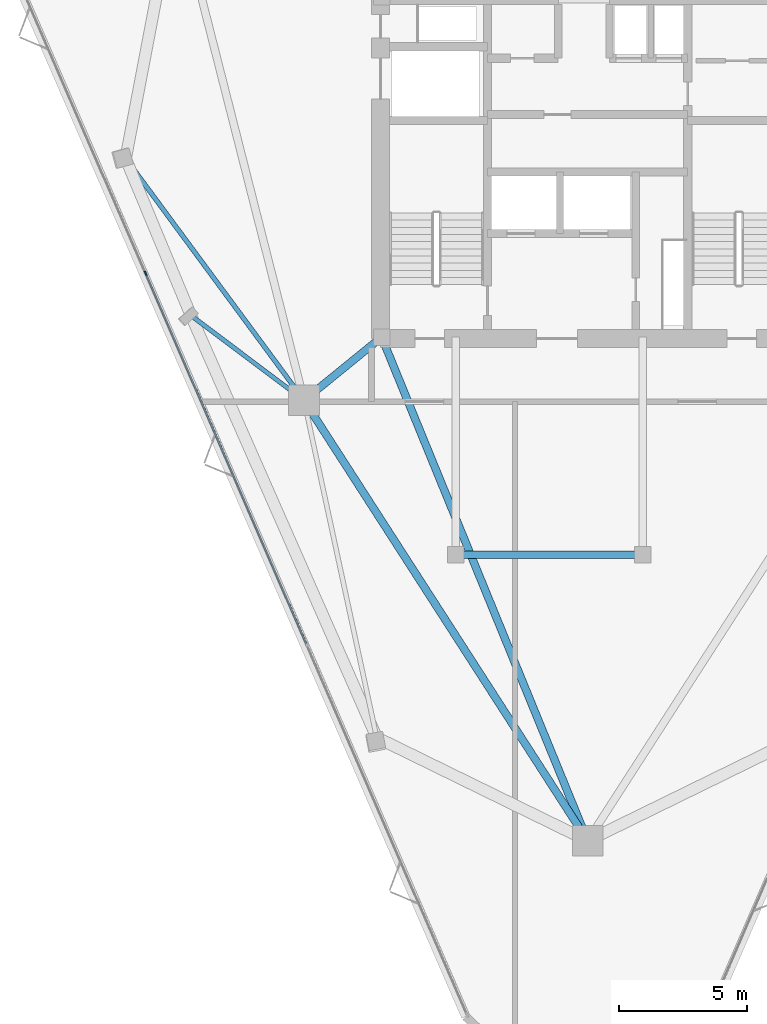
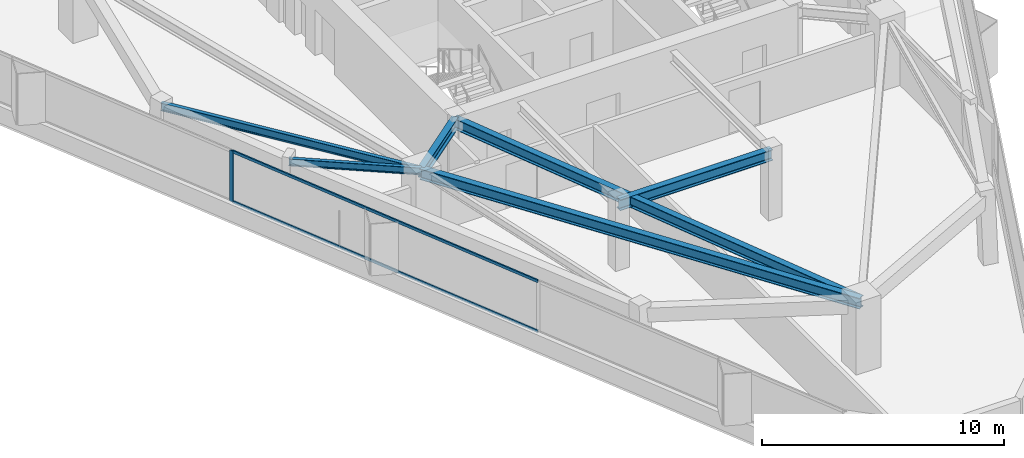
# One storey, part 3 of 11: 6 beams, 3 members, 1 element without a shape of its own.
"""IFC4 building model written with IfcOpenShell, lengths in metres."""

from ifc_helpers import new_model, si_unit, direction, frame, origin, origin_2d, place, context, subcontext, project, spatial, rectangle, i_section, extrude, material, layer, layer_set, material_profile, profile_set, type_object, element, aggregate, save


model = new_model("IFC4")

# Units and contexts
model_context = context("Model", 3, precision=1e-05, world=origin(), true_north=direction((0.0, 1.0)))
body_context = subcontext(model_context, "Body", "Model", "MODEL_VIEW")
ifc_project = project(units=[si_unit("LENGTHUNIT", "METRE"), si_unit("AREAUNIT", "SQUARE_METRE"), si_unit("VOLUMEUNIT", "CUBIC_METRE"), si_unit("PLANEANGLEUNIT", "RADIAN"), si_unit("MASSUNIT", "GRAM", prefix="KILO")], contexts=[model_context])

# Site, building, storey
site_placement = place(None, origin())
site = spatial("IfcSite", under=ifc_project, at=site_placement, CompositionType="ELEMENT")
building_placement = place(site_placement, origin())
building = spatial("IfcBuilding", under=site, at=building_placement, Name="Talyreon Biosciences Tower", CompositionType="ELEMENT")
storey_placement = place(building_placement, frame((0.0, 0.0, 235.25)))
storey = spatial("IfcBuildingStorey", under=building, at=storey_placement, Name="L62", CompositionType="ELEMENT", Elevation=235.25)

# Curtain wall, members
ifc_material_1 = material(Name="Thermally broken aluminium and low-E glazing", Category="aluminium")
ifc_layer = layer(ifc_material_1, 0.175048828125)
ifc_layer_set = layer_set([ifc_layer], Name="Thermally broken aluminium and low-E glazing")
curtain_wall_type = type_object("IfcCurtainWallType", Name="CurtainWall_Zone5CompLab", PredefinedType="NOTDEFINED", material=ifc_layer_set)
curtain_wall_placement = place(storey_placement, origin())
curtain_wall = element("IfcCurtainWall", 1, at=curtain_wall_placement, inside=storey, type_object=curtain_wall_type, Name="L62 Unitised Curtain Wall FCW-L62-00", PredefinedType="NOTDEFINED")
ifc_material_2 = material(Name="Anodised thermally broken aluminium", Category="aluminium")
ifc_material_profile_1 = material_profile(ifc_material_2, rectangle(XDim=0.06494140625, YDim=0.179931640625, at=origin_2d()), Name="ALUM MULLION 65x180")
ifc_profile_set_1 = profile_set([ifc_material_profile_1], Name="Anodised thermally broken aluminium")
member_type_1 = type_object("IfcMemberType", Name="CWMullion_65x180", PredefinedType="MULLION", material=ifc_profile_set_1)
member_1_placement = place(storey_placement, frame((48.72314453125, 63.8427734375, 0.81005859375), z_axis=(0.0, 0.0, 1.0), x_axis=(-0.917458244079, -0.397832088162, 0.0)))
member_1 = element("IfcMember", 2, at=member_1_placement, type_object=member_type_1, Name="CW6 mullion 3", PredefinedType="MULLION", context=body_context, shape_type="SweptSolid", body=[
    extrude(rectangle(XDim=0.06494140625, YDim=0.179931640625, at=origin_2d()), origin(), (0.0, 0.0, 1.0), 2.58984375),
])
ifc_material_profile_2 = material_profile(ifc_material_2, rectangle(XDim=0.06494140625, YDim=0.139892578125, at=origin_2d()), Name="ALUM TRANSOM 65x140")
ifc_profile_set_2 = profile_set([ifc_material_profile_2], Name="Anodised thermally broken aluminium")
member_type_2 = type_object("IfcMemberType", Name="CWTransom_65x140", PredefinedType="USERDEFINED", material=ifc_profile_set_2)
member_2_placement = place(storey_placement, frame((55.0, 49.367431640625, 0.842529296875), z_axis=(-0.397830656241, 0.917458864993, 0.0), x_axis=(-0.917458864993, -0.397830656241, 0.0)))
member_2 = element("IfcMember", 3, at=member_2_placement, type_object=member_type_2, Name="CW6 transom 2.1", ObjectType="TRANSOM", PredefinedType="USERDEFINED", context=body_context, shape_type="SweptSolid", body=[
    extrude(rectangle(XDim=0.06494140625, YDim=0.139892578125, at=origin_2d()), origin(), (0.0, 0.0, 1.0), 15.7451171875),
])
member_3_placement = place(storey_placement, frame((55.0, 49.367431640625, 3.367431640625), z_axis=(-0.397830656241, 0.917458864993, 0.0), x_axis=(-0.917458864993, -0.397830656241, 0.0)))
member_3 = element("IfcMember", 4, at=member_3_placement, type_object=member_type_2, Name="CW6 transom 2.2", ObjectType="TRANSOM", PredefinedType="USERDEFINED", context=body_context, shape_type="SweptSolid", body=[
    extrude(rectangle(XDim=0.06494140625, YDim=0.139892578125, at=origin_2d()), origin(), (0.0, 0.0, 1.0), 15.7451171875),
])
aggregate(curtain_wall, [member_1, member_2, member_3])

# Beams
ifc_material_3 = material(Name="Steel SM355", Category="steel")
ifc_material_profile_3 = material_profile(ifc_material_3, i_section(OverallWidth=0.300048828125, OverallDepth=0.550048828125, WebThickness=0.014892578125, FlangeThickness=0.029052734375, FilletRadius=0.027099609375, at=origin_2d()), Name="HE550B")
ifc_profile_set_3 = profile_set([ifc_material_profile_3], Name="Steel SM355")
beam_type_1 = type_object("IfcBeamType", Name="SteelBeam_HE550B", PredefinedType="BEAM", material=ifc_profile_set_3)
beam_1_placement = place(storey_placement, frame((54.913818359375, 58.88037109375, 3.125), z_axis=(0.541463723609, -0.840724114092, 0.0), x_axis=(0.840724114092, 0.541463723609, 0.0)))
element("IfcBeam", 5, at=beam_1_placement, inside=storey, type_object=beam_type_1, Name="L62 Mega-Ring Girder 6", PredefinedType="BEAM", context=body_context, shape_type="SweptSolid", body=[
    extrude(i_section(OverallWidth=0.300048828125, OverallDepth=0.550048828125, WebThickness=0.014892578125, FlangeThickness=0.029052734375, FilletRadius=0.027099609375, at=origin_2d()), origin(), (0.0, 0.0, 1.0), 20.474365234375),
])
beam_2_placement = place(storey_placement, frame((57.949951171875, 61.35009765625, 3.125), z_axis=(0.378547014545, -0.925582064314, 0.0), x_axis=(0.925582064314, 0.378547014545, 0.0)))
element("IfcBeam", 6, at=beam_2_placement, inside=storey, type_object=beam_type_1, Name="L62 Radial Primary Girder 1", PredefinedType="BEAM", context=body_context, shape_type="SweptSolid", body=[
    extrude(i_section(OverallWidth=0.300048828125, OverallDepth=0.550048828125, WebThickness=0.014892578125, FlangeThickness=0.029052734375, FilletRadius=0.027099609375, at=origin_2d()), origin(), (0.0, 0.0, 1.0), 21.265625),
])
beam_3_placement = place(storey_placement, frame((57.949951171875, 61.35009765625, 3.125), z_axis=(-0.775755154013, -0.631034025249, 0.0), x_axis=(0.631034025249, -0.775755154013, 0.0)))
element("IfcBeam", 7, at=beam_3_placement, inside=storey, type_object=beam_type_1, Name="L62 Radial Primary Girder 6", PredefinedType="BEAM", context=body_context, shape_type="SweptSolid", body=[
    extrude(i_section(OverallWidth=0.300048828125, OverallDepth=0.550048828125, WebThickness=0.014892578125, FlangeThickness=0.029052734375, FilletRadius=0.027099609375, at=origin_2d()), origin(), (0.0, 0.0, 1.0), 3.913818359375),
])
beam_4_placement = place(storey_placement, frame((60.85009765625, 52.840087890625, 3.125), z_axis=(1.0, 0.0, 0.0), x_axis=(0.0, 1.0, 0.0)))
element("IfcBeam", 8, at=beam_4_placement, inside=storey, type_object=beam_type_1, Name="L62 Crown Shaft Spine Girder S", PredefinedType="BEAM", context=body_context, shape_type="SweptSolid", body=[
    extrude(i_section(OverallWidth=0.300048828125, OverallDepth=0.550048828125, WebThickness=0.014892578125, FlangeThickness=0.029052734375, FilletRadius=0.027099609375, at=origin_2d()), origin(), (0.0, 0.0, 1.0), 7.2998046875),
])
ifc_material_profile_4 = material_profile(ifc_material_3, i_section(OverallWidth=0.169921875, OverallDepth=0.360107421875, WebThickness=0.008056640625, FlangeThickness=0.0126953125, FilletRadius=0.01806640625, at=origin_2d()), Name="IPE360")
ifc_profile_set_4 = profile_set([ifc_material_profile_4], Name="Steel SM355")
beam_type_2 = type_object("IfcBeamType", Name="SteelJoist_IPE360", PredefinedType="JOIST", material=ifc_profile_set_4)
beam_5_placement = place(storey_placement, frame((54.913818359375, 58.88037109375, 3.219970703125), z_axis=(-0.799782608082, 0.600289746547, 0.0), x_axis=(-0.600289746547, -0.799782608082, 0.0)))
element("IfcBeam", 9, at=beam_5_placement, inside=storey, type_object=beam_type_2, Name="L62 Radial Composite Floor Joist PL-SW", PredefinedType="JOIST", context=body_context, shape_type="SweptSolid", body=[
    extrude(i_section(OverallWidth=0.169921875, OverallDepth=0.360107421875, WebThickness=0.008056640625, FlangeThickness=0.0126953125, FilletRadius=0.01806640625, at=origin_2d()), origin(), (0.0, 0.0, 1.0), 5.526611328125),
])
ifc_material_profile_5 = material_profile(ifc_material_3, i_section(OverallWidth=0.179931640625, OverallDepth=0.39990234375, WebThickness=0.008544921875, FlangeThickness=0.013427734375, FilletRadius=0.02099609375, at=origin_2d()), Name="IPE400")
ifc_profile_set_5 = profile_set([ifc_material_profile_5], Name="Steel SM355")
beam_type_3 = type_object("IfcBeamType", Name="SteelJoist_IPE400", PredefinedType="JOIST", material=ifc_profile_set_5)
beam_6_placement = place(storey_placement, frame((54.913818359375, 58.88037109375, 3.199951171875), z_axis=(-0.593610320298, 0.804752625119, 0.0), x_axis=(-0.804752625119, -0.593610320298, 0.0)))
element("IfcBeam", 10, at=beam_6_placement, inside=storey, type_object=beam_type_3, Name="L62 Radial Composite Floor Joist PC-SW1", PredefinedType="JOIST", context=body_context, shape_type="SweptSolid", body=[
    extrude(i_section(OverallWidth=0.179931640625, OverallDepth=0.39990234375, WebThickness=0.008544921875, FlangeThickness=0.013427734375, FilletRadius=0.02099609375, at=origin_2d()), origin(), (0.0, 0.0, 1.0), 11.7421875),
])

save(model, "model.ifc")
